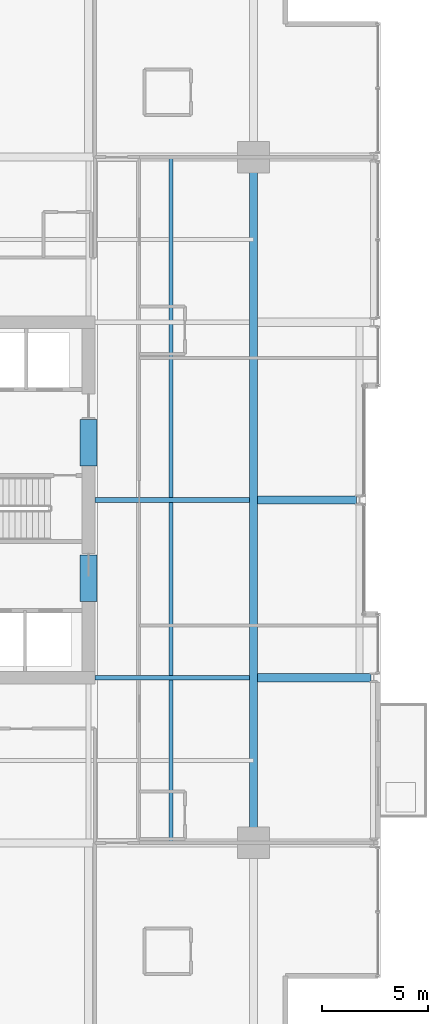
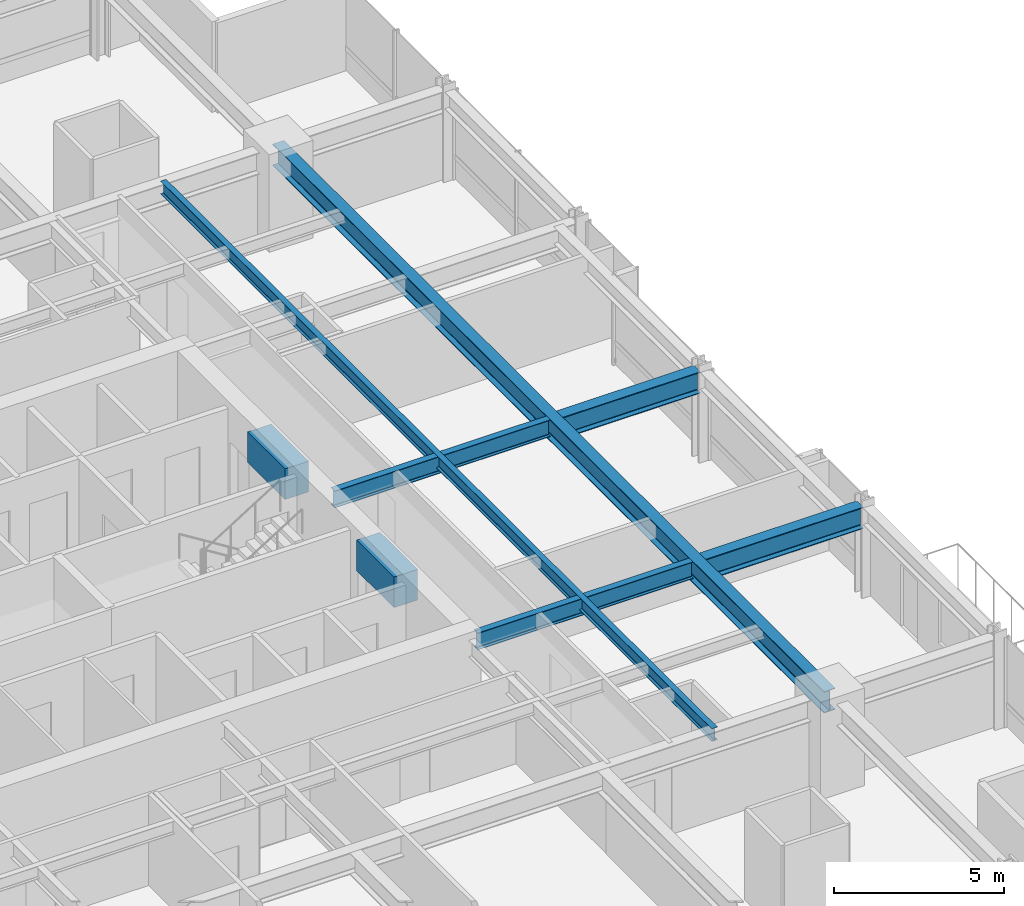
# One storey, part 14 of 34: 8 beams.
"""IFC4 building model written with IfcOpenShell, lengths in metres."""

from ifc_helpers import new_model, si_unit, direction, frame, origin, origin_2d, place, context, subcontext, project, spatial, rectangle, i_section, extrude, material, material_profile, profile_set, type_object, element, save


model = new_model("IFC4")

# Units and contexts
model_context = context("Model", 3, precision=1e-05, world=origin(), true_north=direction((0.0, 1.0)))
body_context = subcontext(model_context, "Body", "Model", "MODEL_VIEW")
ifc_project = project(units=[si_unit("LENGTHUNIT", "METRE"), si_unit("AREAUNIT", "SQUARE_METRE"), si_unit("VOLUMEUNIT", "CUBIC_METRE"), si_unit("PLANEANGLEUNIT", "RADIAN"), si_unit("MASSUNIT", "GRAM", prefix="KILO")], contexts=[model_context])

# Site, building, storey
site_placement = place(None, origin())
site = spatial("IfcSite", under=ifc_project, at=site_placement, CompositionType="ELEMENT")
building_placement = place(site_placement, origin())
building = spatial("IfcBuilding", under=site, at=building_placement, Name="Drelvath Grand Hotel", CompositionType="ELEMENT")
storey_placement = place(building_placement, frame((0.0, 0.0, 116.300048828125)))
storey = spatial("IfcBuildingStorey", under=building, at=storey_placement, Name="L29", CompositionType="ELEMENT", Elevation=116.300048828125)

# Beams
ifc_material_1 = material(Name="Steel ASTM A992 Gr 50", Category="steel")
ifc_material_profile_1 = material_profile(ifc_material_1, i_section(OverallWidth=0.19140625, OverallDepth=0.4599609375, WebThickness=0.010009765625, FlangeThickness=0.01611328125, FilletRadius=0.01611328125, at=origin_2d()), Name="W18X55")
ifc_profile_set_1 = profile_set([ifc_material_profile_1], Name="Steel ASTM A992 Gr 50")
beam_type_1 = type_object("IfcBeamType", Name="Composite Floor Joist W18X55", PredefinedType="JOIST", material=ifc_profile_set_1)
beam_1_placement = place(storey_placement, frame((12.300048828125, 10.800048828125, 3.010009765625), z_axis=(0.0, 1.0, 0.0), x_axis=(-1.0, 0.0, 0.0)))
element("IfcBeam", 1, at=beam_1_placement, inside=storey, type_object=beam_type_1, Name="L29 Wing Floor Joist J4", PredefinedType="JOIST", context=body_context, shape_type="SweptSolid", body=[
    extrude(i_section(OverallWidth=0.19140625, OverallDepth=0.4599609375, WebThickness=0.010009765625, FlangeThickness=0.01611328125, FilletRadius=0.01611328125, at=origin_2d()), origin(), (0.0, 0.0, 1.0), 32.39990234375),
])
ifc_material_2 = material(Name="Concrete f'c 70 MPa", Category="concrete")
ifc_material_profile_2 = material_profile(ifc_material_2, rectangle(XDim=0.800048828125, YDim=1.10009765625, at=origin_2d()), Name="CB800X1100")
ifc_profile_set_2 = profile_set([ifc_material_profile_2], Name="Concrete f'c 70 MPa")
beam_type_2 = type_object("IfcBeamType", Name="Core Coupling Lintel CB800X1100", PredefinedType="LINTEL", material=ifc_profile_set_2)
for number, where, z_axis, x_axis, name in (
    (2, (8.39990234375, 22.199951171875, 2.68994140625), (0.0, 1.0, 0.0), (-1.0, 0.0, 0.0), "L29 Core Coupling Lintel ES"),
    (3, (8.39990234375, 28.60009765625, 2.68994140625), (0.0, 1.0, 0.0), (-1.0, 0.0, 0.0), "L29 Core Coupling Lintel EN"),
):
    element("IfcBeam", number, at=place(storey_placement, frame(where, z_axis=z_axis, x_axis=x_axis)), inside=storey, type_object=beam_type_2, Name=name, PredefinedType="LINTEL", context=body_context, shape_type="SweptSolid", body=[
        extrude(rectangle(XDim=0.800048828125, YDim=1.10009765625, at=origin_2d()), origin(), (0.0, 0.0, 1.0), 2.199951171875),
    ])
ifc_material_profile_3 = material_profile(ifc_material_1, i_section(OverallWidth=0.228271484375, OverallDepth=0.607666015625, WebThickness=0.01123046875, FlangeThickness=0.017333984375, FilletRadius=0.02001953125, at=origin_2d()), Name="W24X76")
ifc_profile_set_3 = profile_set([ifc_material_profile_3], Name="Steel ASTM A992 Gr 50")
beam_type_3 = type_object("IfcBeamType", Name="Primary Floor Girder W24X76", PredefinedType="BEAM", material=ifc_profile_set_3)
for number, where, z_axis, x_axis, name in (
    (4, (8.699951171875, 18.60009765625, 2.93603515625), (1.0, 0.0, 0.0), (0.0, 1.0, 0.0), "L29 East Core Tie D"),
    (5, (8.699951171875, 27.0, 2.93603515625), (1.0, 0.0, 0.0), (0.0, 1.0, 0.0), "L29 East Core Tie E"),
):
    element("IfcBeam", number, at=place(storey_placement, frame(where, z_axis=z_axis, x_axis=x_axis)), inside=storey, type_object=beam_type_3, Name=name, PredefinedType="BEAM", context=body_context, shape_type="SweptSolid", body=[
        extrude(i_section(OverallWidth=0.228271484375, OverallDepth=0.607666015625, WebThickness=0.01123046875, FlangeThickness=0.017333984375, FilletRadius=0.02001953125, at=origin_2d()), origin(), (0.0, 0.0, 1.0), 7.309814453125),
    ])
ifc_material_profile_4 = material_profile(ifc_material_1, i_section(OverallWidth=0.380615234375, OverallDepth=0.773193359375, WebThickness=0.0166015625, FlangeThickness=0.027099609375, FilletRadius=0.02490234375, at=origin_2d()), Name="W30X173")
ifc_profile_set_4 = profile_set([ifc_material_profile_4], Name="Steel ASTM A992 Gr 50")
beam_type_4 = type_object("IfcBeamType", Name="Primary Floor Girder W30X173", PredefinedType="BEAM", material=ifc_profile_set_4)
beam_2_placement = place(storey_placement, frame((16.199951171875, 10.800048828125, 2.853271484375), z_axis=(0.0, 1.0, 0.0), x_axis=(-1.0, 0.0, 0.0)))
element("IfcBeam", 6, at=beam_2_placement, inside=storey, type_object=beam_type_4, Name="L29 Mega Ring Girder East", PredefinedType="BEAM", context=body_context, shape_type="SweptSolid", body=[
    extrude(i_section(OverallWidth=0.380615234375, OverallDepth=0.773193359375, WebThickness=0.0166015625, FlangeThickness=0.027099609375, FilletRadius=0.02490234375, at=origin_2d()), origin(), (0.0, 0.0, 1.0), 32.39990234375),
])
beam_3_placement = place(storey_placement, frame((16.390380859375, 18.60009765625, 2.853271484375), z_axis=(1.0, 0.0, 0.0), x_axis=(0.0, 1.0, 0.0)))
element("IfcBeam", 7, at=beam_3_placement, inside=storey, type_object=beam_type_4, Name="L29 East Wing Girder D", PredefinedType="BEAM", context=body_context, shape_type="SweptSolid", body=[
    extrude(i_section(OverallWidth=0.380615234375, OverallDepth=0.773193359375, WebThickness=0.0166015625, FlangeThickness=0.027099609375, FilletRadius=0.02490234375, at=origin_2d()), origin(), (0.0, 0.0, 1.0), 5.349609375),
])
beam_4_placement = place(storey_placement, frame((16.390380859375, 27.0, 2.853271484375), z_axis=(1.0, 0.0, 0.0), x_axis=(0.0, 1.0, 0.0)))
element("IfcBeam", 8, at=beam_4_placement, inside=storey, type_object=beam_type_4, Name="L29 East Wing Girder E", PredefinedType="BEAM", context=body_context, shape_type="SweptSolid", body=[
    extrude(i_section(OverallWidth=0.380615234375, OverallDepth=0.773193359375, WebThickness=0.0166015625, FlangeThickness=0.027099609375, FilletRadius=0.02490234375, at=origin_2d()), origin(), (0.0, 0.0, 1.0), 4.669677734375),
])

save(model, "model.ifc")
